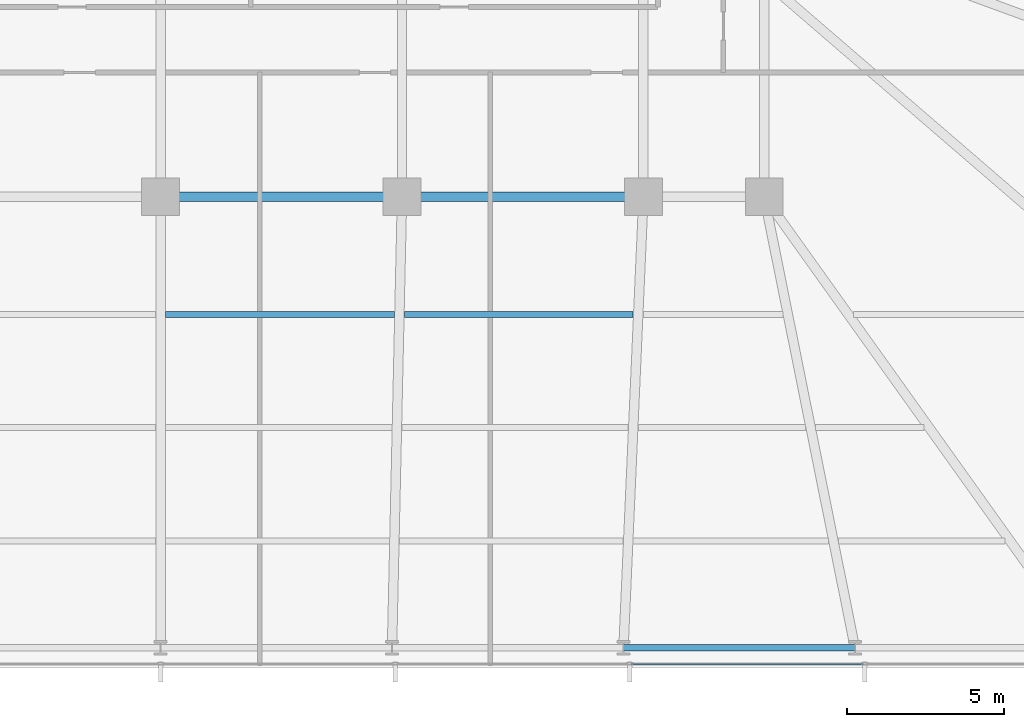
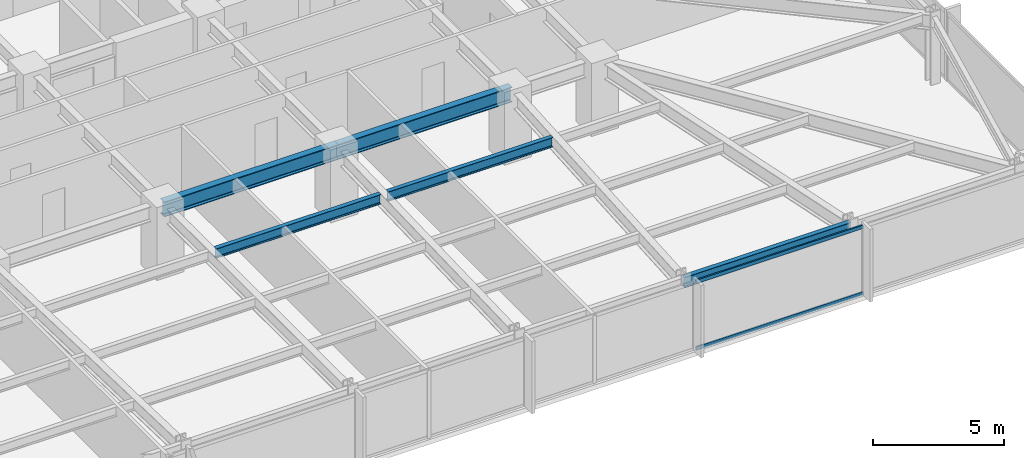
# One storey, part 13 of 32: 5 beams, 2 members, 1 element without a shape of its own.
"""IFC4 building model written with IfcOpenShell, lengths in metres."""

from ifc_helpers import new_model, si_unit, direction, frame, origin, origin_2d, place, context, subcontext, project, spatial, hollow_rectangle, i_section, extrude, material, material_profile, profile_set, type_object, element, aggregate, save


model = new_model("IFC4")

# Units and contexts
model_context = context("Model", 3, precision=1e-05, world=origin(), true_north=direction((0.0, 1.0)))
body_context = subcontext(model_context, "Body", "Model", "MODEL_VIEW")
ifc_project = project(units=[si_unit("LENGTHUNIT", "METRE"), si_unit("AREAUNIT", "SQUARE_METRE"), si_unit("VOLUMEUNIT", "CUBIC_METRE"), si_unit("PLANEANGLEUNIT", "RADIAN"), si_unit("MASSUNIT", "GRAM", prefix="KILO")], contexts=[model_context])

# Site, building, storey
site_placement = place(None, origin())
site = spatial("IfcSite", under=ifc_project, at=site_placement, CompositionType="ELEMENT")
building_placement = place(site_placement, origin())
building = spatial("IfcBuilding", under=site, at=building_placement, Name="Yelkora Congress Tower", CompositionType="ELEMENT")
storey_placement = place(building_placement, frame((0.0, 0.0, 67.800048828125)))
storey = spatial("IfcBuildingStorey", under=building, at=storey_placement, Name="L17", CompositionType="ELEMENT", Elevation=67.800048828125)

# Beams
ifc_material_1 = material(Name="Steel S355J2", Category="steel")
ifc_material_profile_1 = material_profile(ifc_material_1, i_section(OverallWidth=0.300048828125, OverallDepth=0.699951171875, WebThickness=0.01708984375, FlangeThickness=0.031982421875, FilletRadius=0.027099609375, at=origin_2d()), Name="HEB 700")
ifc_profile_set_1 = profile_set([ifc_material_profile_1], Name="Steel S355J2")
beam_type_1 = type_object("IfcBeamType", Name="BM-GIRD-HEB700", PredefinedType="BEAM", material=ifc_profile_set_1)
beam_1_placement = place(storey_placement, frame((38.39990234375, 25.199951171875, 2.829833984375), z_axis=(1.0, 0.0, 0.0), x_axis=(0.0, 1.0, 0.0)))
element("IfcBeam", 1, at=beam_1_placement, inside=storey, type_object=beam_type_1, Name="L17 Spine Grid D Girder 4", PredefinedType="BEAM", context=body_context, shape_type="SweptSolid", body=[
    extrude(i_section(OverallWidth=0.300048828125, OverallDepth=0.699951171875, WebThickness=0.01708984375, FlangeThickness=0.031982421875, FilletRadius=0.027099609375, at=origin_2d()), origin(), (0.0, 0.0, 1.0), 7.68017578125),
])
beam_2_placement = place(storey_placement, frame((46.080078125, 25.199951171875, 2.829833984375), z_axis=(1.0, 0.0, 0.0), x_axis=(0.0, 1.0, 0.0)))
element("IfcBeam", 2, at=beam_2_placement, inside=storey, type_object=beam_type_1, Name="L17 Spine Grid D Girder 5", PredefinedType="BEAM", context=body_context, shape_type="SweptSolid", body=[
    extrude(i_section(OverallWidth=0.300048828125, OverallDepth=0.699951171875, WebThickness=0.01708984375, FlangeThickness=0.031982421875, FilletRadius=0.027099609375, at=origin_2d()), origin(), (0.0, 0.0, 1.0), 7.679931640625),
])
ifc_material_profile_2 = material_profile(ifc_material_1, i_section(OverallWidth=0.18994140625, OverallDepth=0.449951171875, WebThickness=0.009521484375, FlangeThickness=0.0146484375, FilletRadius=0.02099609375, at=origin_2d()), Name="IPE 450")
ifc_profile_set_2 = profile_set([ifc_material_profile_2], Name="Steel S355J2")
beam_type_2 = type_object("IfcBeamType", Name="BM-JOIST-IPE450", PredefinedType="JOIST", material=ifc_profile_set_2)
beam_3_placement = place(storey_placement, frame((38.56005859375, 21.449951171875, 2.954833984375), z_axis=(1.0, 0.0, 0.0), x_axis=(0.0, 1.0, 0.0)))
element("IfcBeam", 3, at=beam_3_placement, inside=storey, type_object=beam_type_2, Name="L17 Composite Floor Joist 20", PredefinedType="JOIST", context=body_context, shape_type="SweptSolid", body=[
    extrude(i_section(OverallWidth=0.18994140625, OverallDepth=0.449951171875, WebThickness=0.009521484375, FlangeThickness=0.0146484375, FilletRadius=0.02099609375, at=origin_2d()), origin(), (0.0, 0.0, 1.0), 7.27685546875),
])
beam_4_placement = place(storey_placement, frame((46.156982421875, 21.449951171875, 2.954833984375), z_axis=(1.0, 0.0, 0.0), x_axis=(0.0, 1.0, 0.0)))
element("IfcBeam", 4, at=beam_4_placement, inside=storey, type_object=beam_type_2, Name="L17 Composite Floor Joist 21", PredefinedType="JOIST", context=body_context, shape_type="SweptSolid", body=[
    extrude(i_section(OverallWidth=0.18994140625, OverallDepth=0.449951171875, WebThickness=0.009521484375, FlangeThickness=0.0146484375, FilletRadius=0.02099609375, at=origin_2d()), origin(), (0.0, 0.0, 1.0), 7.277099609375),
])
ifc_material_profile_3 = material_profile(ifc_material_1, i_section(OverallWidth=0.199951171875, OverallDepth=0.5, WebThickness=0.01025390625, FlangeThickness=0.01611328125, FilletRadius=0.02099609375, at=origin_2d()), Name="IPE 500")
ifc_profile_set_3 = profile_set([ifc_material_profile_3], Name="Steel S355J2")
beam_type_3 = type_object("IfcBeamType", Name="BM-SPAN-IPE500", PredefinedType="SPANDREL", material=ifc_profile_set_3)
beam_5_placement = place(storey_placement, frame((53.125, 10.85009765625, 2.929931640625), z_axis=(1.0, 0.0, 0.0), x_axis=(0.0, 1.0, 0.0)))
element("IfcBeam", 5, at=beam_5_placement, inside=storey, type_object=beam_type_3, Name="L17 Perimeter Beam 8", PredefinedType="SPANDREL", context=body_context, shape_type="SweptSolid", body=[
    extrude(i_section(OverallWidth=0.199951171875, OverallDepth=0.5, WebThickness=0.01025390625, FlangeThickness=0.01611328125, FilletRadius=0.02099609375, at=origin_2d()), origin(), (0.0, 0.0, 1.0), 7.362548828125),
])

# Curtain wall, members
ifc_material_2 = material(Name="Anodised aluminium and insulated glass", Category="aluminium")
curtain_wall_type = type_object("IfcCurtainWallType", Name="CW-SYS-B1", PredefinedType="NOTDEFINED", material=ifc_material_2)
curtain_wall_placement = place(storey_placement, origin())
curtain_wall = element("IfcCurtainWall", 6, at=curtain_wall_placement, inside=storey, type_object=curtain_wall_type, Name="L17 Unitised Curtain Wall 20", PredefinedType="NOTDEFINED")
ifc_material_3 = material(Name="Anodised aluminium 6063-T6", Category="aluminium")
ifc_material_profile_4 = material_profile(ifc_material_3, hollow_rectangle(XDim=0.06494140625, YDim=0.159912109375, WallThickness=0.00390625, at=origin_2d()), Name="ALU 65x160x4")
ifc_profile_set_4 = profile_set([ifc_material_profile_4], Name="Anodised aluminium 6063-T6")
member_type = type_object("IfcMemberType", Name="MEM-TR-B1", PredefinedType="USERDEFINED", material=ifc_profile_set_4)
member_1_placement = place(storey_placement, frame((60.757568359375, 10.340087890625, 0.032470703125), z_axis=(-1.0, 0.0, 0.0), x_axis=(0.0, -1.0, 0.0)))
member_1 = element("IfcMember", 7, at=member_1_placement, type_object=member_type, Name="CW-B1 transom 2.1", ObjectType="TRANSOM", PredefinedType="USERDEFINED", context=body_context, shape_type="SweptSolid", body=[
    extrude(hollow_rectangle(XDim=0.06494140625, YDim=0.159912109375, WallThickness=0.00390625, at=origin_2d()), origin(), (0.0, 0.0, 1.0), 7.39013671875),
])
member_2_placement = place(storey_placement, frame((60.757568359375, 10.340087890625, 3.1474609375), z_axis=(-1.0, 0.0, 0.0), x_axis=(0.0, -1.0, 0.0)))
member_2 = element("IfcMember", 8, at=member_2_placement, type_object=member_type, Name="CW-B1 transom 2.2", ObjectType="TRANSOM", PredefinedType="USERDEFINED", context=body_context, shape_type="SweptSolid", body=[
    extrude(hollow_rectangle(XDim=0.06494140625, YDim=0.159912109375, WallThickness=0.00390625, at=origin_2d()), origin(), (0.0, 0.0, 1.0), 7.39013671875),
])
aggregate(curtain_wall, [member_1, member_2])

save(model, "model.ifc")
